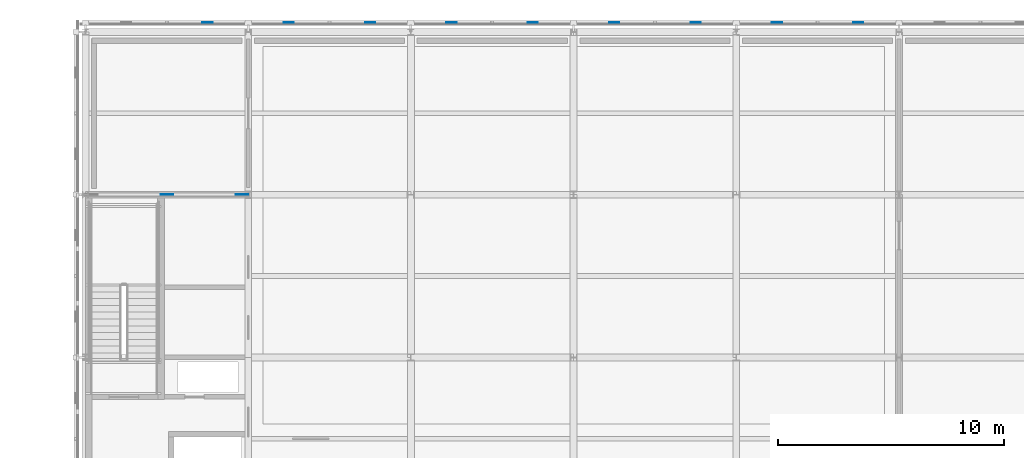
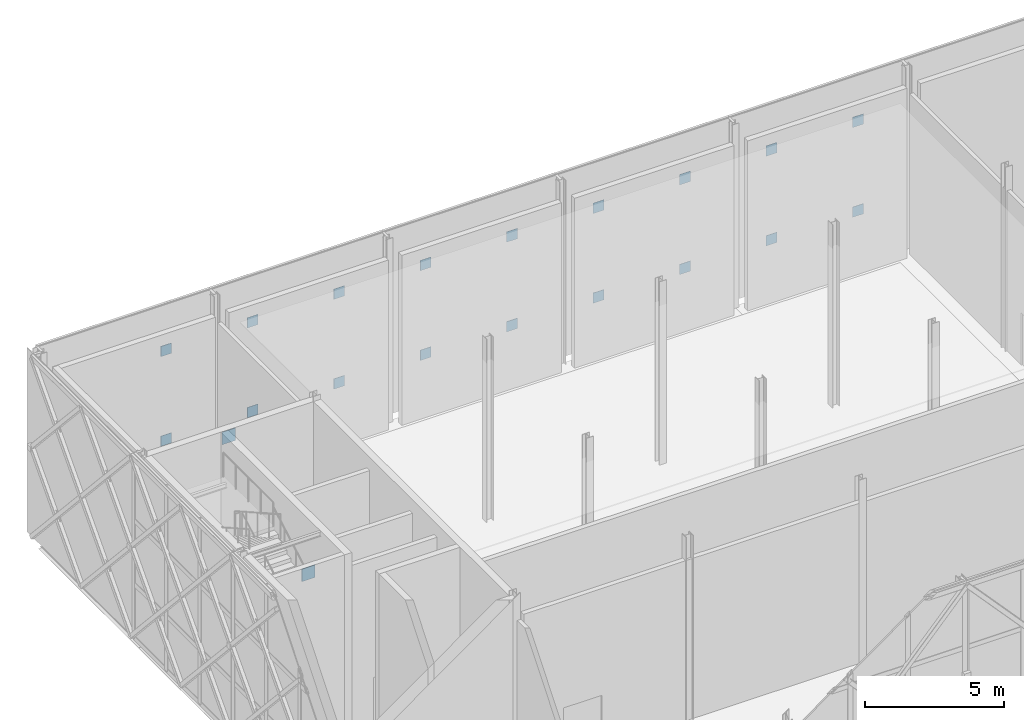
# One storey, part 65 of 76: 20 plates.
"""IFC4 building model written with IfcOpenShell, lengths in metres."""

from ifc_helpers import new_model, si_unit, direction, frame, origin, origin_2d, place, context, subcontext, project, spatial, rectangle, extrude, material, layer, layer_set, type_object, element, save


model = new_model("IFC4")

# Units and contexts
model_context = context("Model", 3, precision=1e-05, world=origin(), true_north=direction((0.0, 1.0)))
body_context = subcontext(model_context, "Body", "Model", "MODEL_VIEW")
ifc_project = project(units=[si_unit("LENGTHUNIT", "METRE"), si_unit("AREAUNIT", "SQUARE_METRE"), si_unit("VOLUMEUNIT", "CUBIC_METRE"), si_unit("PLANEANGLEUNIT", "RADIAN"), si_unit("MASSUNIT", "GRAM", prefix="KILO")], contexts=[model_context])

# Site, building, storey
site_placement = place(None, origin())
site = spatial("IfcSite", under=ifc_project, at=site_placement, CompositionType="ELEMENT")
building_placement = place(site_placement, origin())
building = spatial("IfcBuilding", under=site, at=building_placement, Name="Zlatovets Crest Museum", CompositionType="ELEMENT")
storey_placement = place(building_placement, frame((0.0, 0.0, 17.10009765625)))
storey = spatial("IfcBuildingStorey", under=building, at=storey_placement, Name="L04", CompositionType="ELEMENT", Elevation=17.10009765625)

# Plates
ifc_material = material(Name="Structural steel S355J2", Category="steel")
ifc_layer_1 = layer(ifc_material, 0.02490234375)
ifc_layer_set_1 = layer_set([ifc_layer_1], Name="Structural steel S355J2")
plate_type_1 = type_object("IfcPlateType", Name="Gusset_GP-01", PredefinedType="USERDEFINED", material=ifc_layer_set_1)
for number, where, z_axis, x_axis, name in (
    (1, (64.52001953125, 108.0, 0.0048828125), (0.0, 0.0, 1.0), (1.0, 0.0, 0.0), "V1 L04 Brace End Gusset Plate GP-01"),
    (2, (61.199951171875, 108.0, 7.19482421875), (0.0, 0.0, 1.0), (1.0, 0.0, 0.0), "V1 L04 Brace End Gusset Plate GP-01"),
):
    element("IfcPlate", number, at=place(storey_placement, frame(where, z_axis=z_axis, x_axis=x_axis)), inside=storey, type_object=plate_type_1, Name=name, ObjectType="GUSSET", PredefinedType="USERDEFINED", context=body_context, shape_type="SweptSolid", body=[
        extrude(rectangle(XDim=0.550048828125, YDim=0.02490234375, at=origin_2d()), origin(), (0.0, 0.0, 1.0), 0.550048828125),
    ])
ifc_layer_2 = layer(ifc_material, 0.02001953125)
ifc_layer_set_2 = layer_set([ifc_layer_2], Name="Structural steel S355J2")
plate_type_2 = type_object("IfcPlateType", Name="Gusset_GP-04", PredefinedType="USERDEFINED", material=ifc_layer_set_2)
for number, where, z_axis, x_axis, name in (
    (3, (91.800048828125, 115.6201171875, 1.85009765625), (0.0, 0.0, 1.0), (1.0, 0.0, 0.0), "X-Brace Crossing Node Gusset Plate GP-04"),
    (4, (88.199951171875, 115.6201171875, 1.85009765625), (0.0, 0.0, 1.0), (1.0, 0.0, 0.0), "X-Brace Crossing Node Gusset Plate GP-04"),
    (5, (91.800048828125, 115.6201171875, 5.7998046875), (0.0, 0.0, 1.0), (1.0, 0.0, 0.0), "X-Brace Crossing Node Gusset Plate GP-04"),
    (6, (88.199951171875, 115.6201171875, 5.7998046875), (0.0, 0.0, 1.0), (1.0, 0.0, 0.0), "X-Brace Crossing Node Gusset Plate GP-04"),
    (7, (84.60009765625, 115.6201171875, 1.85009765625), (0.0, 0.0, 1.0), (1.0, 0.0, 0.0), "X-Brace Crossing Node Gusset Plate GP-04"),
    (8, (81.0, 115.6201171875, 1.85009765625), (0.0, 0.0, 1.0), (1.0, 0.0, 0.0), "X-Brace Crossing Node Gusset Plate GP-04"),
    (9, (84.60009765625, 115.6201171875, 5.7998046875), (0.0, 0.0, 1.0), (1.0, 0.0, 0.0), "X-Brace Crossing Node Gusset Plate GP-04"),
    (10, (81.0, 115.6201171875, 5.7998046875), (0.0, 0.0, 1.0), (1.0, 0.0, 0.0), "X-Brace Crossing Node Gusset Plate GP-04"),
    (11, (77.39990234375, 115.6201171875, 1.85009765625), (0.0, 0.0, 1.0), (1.0, 0.0, 0.0), "X-Brace Crossing Node Gusset Plate GP-04"),
    (12, (73.800048828125, 115.6201171875, 1.85009765625), (0.0, 0.0, 1.0), (1.0, 0.0, 0.0), "X-Brace Crossing Node Gusset Plate GP-04"),
    (13, (77.39990234375, 115.6201171875, 5.7998046875), (0.0, 0.0, 1.0), (1.0, 0.0, 0.0), "X-Brace Crossing Node Gusset Plate GP-04"),
    (14, (73.800048828125, 115.6201171875, 5.7998046875), (0.0, 0.0, 1.0), (1.0, 0.0, 0.0), "X-Brace Crossing Node Gusset Plate GP-04"),
    (15, (70.199951171875, 115.6201171875, 1.85009765625), (0.0, 0.0, 1.0), (1.0, 0.0, 0.0), "X-Brace Crossing Node Gusset Plate GP-04"),
    (16, (66.60009765625, 115.6201171875, 1.85009765625), (0.0, 0.0, 1.0), (1.0, 0.0, 0.0), "X-Brace Crossing Node Gusset Plate GP-04"),
    (17, (70.199951171875, 115.6201171875, 5.7998046875), (0.0, 0.0, 1.0), (1.0, 0.0, 0.0), "X-Brace Crossing Node Gusset Plate GP-04"),
    (18, (66.60009765625, 115.6201171875, 5.7998046875), (0.0, 0.0, 1.0), (1.0, 0.0, 0.0), "X-Brace Crossing Node Gusset Plate GP-04"),
    (19, (63.0, 115.6201171875, 1.85009765625), (0.0, 0.0, 1.0), (1.0, 0.0, 0.0), "X-Brace Crossing Node Gusset Plate GP-04"),
    (20, (63.0, 115.6201171875, 5.7998046875), (0.0, 0.0, 1.0), (1.0, 0.0, 0.0), "X-Brace Crossing Node Gusset Plate GP-04"),
):
    element("IfcPlate", number, at=place(storey_placement, frame(where, z_axis=z_axis, x_axis=x_axis)), inside=storey, type_object=plate_type_2, Name=name, ObjectType="GUSSET", PredefinedType="USERDEFINED", context=body_context, shape_type="SweptSolid", body=[
        extrude(rectangle(XDim=0.449951171875, YDim=0.02001953125, at=origin_2d()), origin(), (0.0, 0.0, 1.0), 0.449951171875),
    ])

save(model, "model.ifc")
